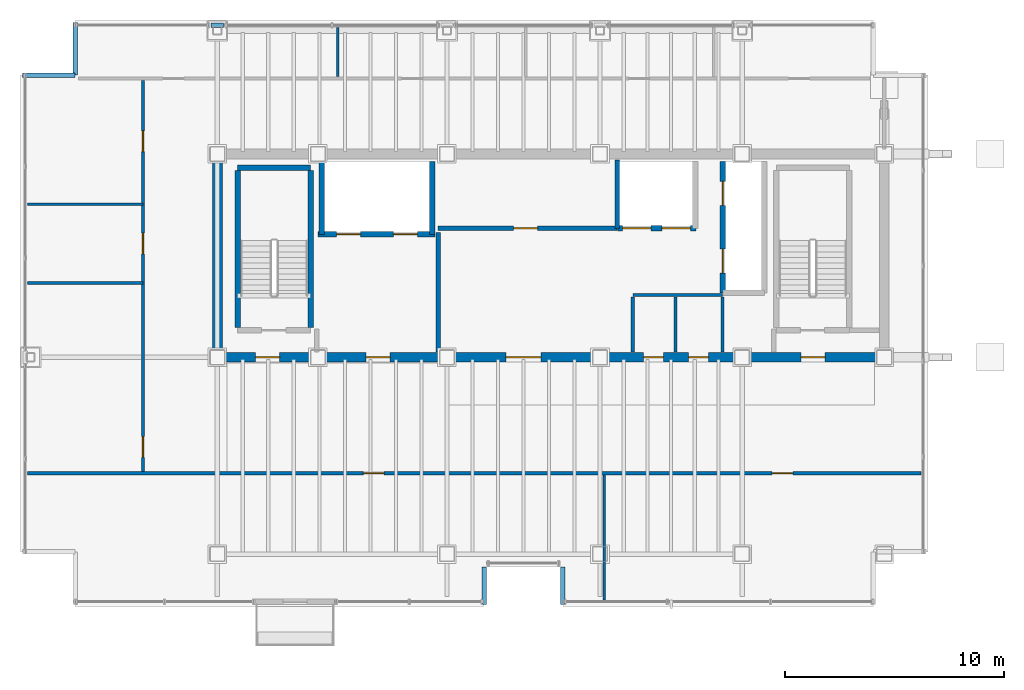
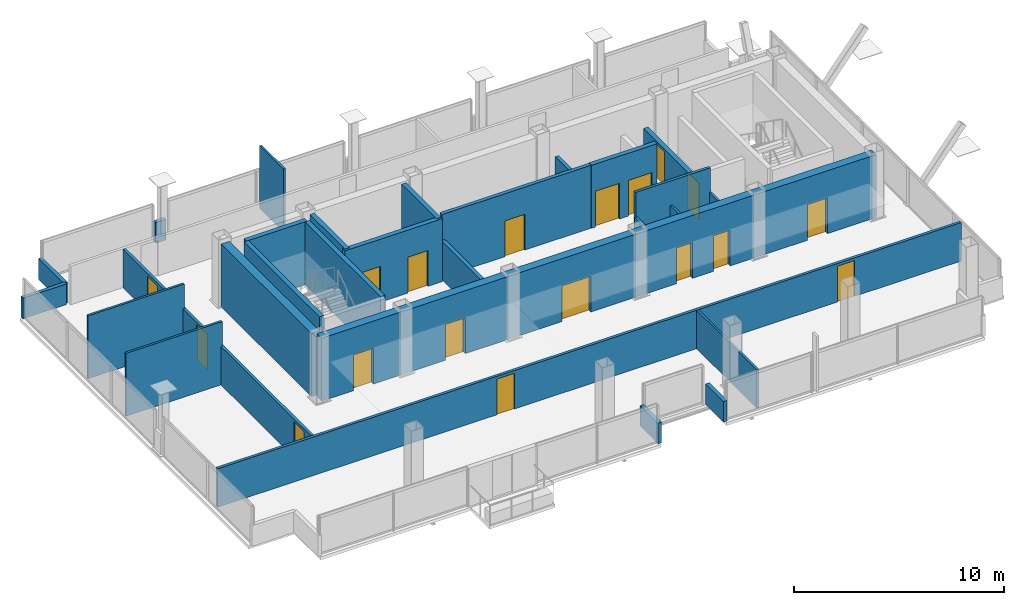
# One storey, part 14 of 16: 28 walls, 18 doors, 18 openings.
"""IFC4 building model written with IfcOpenShell, lengths in metres."""

from ifc_helpers import new_model, si_unit, direction, frame, frame_2d, origin, place, context, subcontext, project, spatial, rectangle, extrude, material, layer, layer_set, type_object, element, fill, save


model = new_model("IFC4")

# Units and contexts
model_context = context("Model", 3, precision=1e-05, world=origin(), true_north=direction((0.0, 1.0)))
body_context = subcontext(model_context, "Body", "Model", "MODEL_VIEW")
ifc_project = project(units=[si_unit("LENGTHUNIT", "METRE"), si_unit("AREAUNIT", "SQUARE_METRE"), si_unit("VOLUMEUNIT", "CUBIC_METRE"), si_unit("PLANEANGLEUNIT", "RADIAN"), si_unit("MASSUNIT", "GRAM", prefix="KILO")], contexts=[model_context])

# Site, building, storey
site_placement = place(None, origin())
site = spatial("IfcSite", under=ifc_project, at=site_placement, CompositionType="ELEMENT")
building_placement = place(site_placement, origin())
building = spatial("IfcBuilding", under=site, at=building_placement, Name="Noeulbin Bourse Tower", CompositionType="ELEMENT")
storey_placement = place(building_placement, frame((0.0, 0.0, 277.39990234375)))
storey = spatial("IfcBuildingStorey", under=building, at=storey_placement, Name="L69", CompositionType="ELEMENT", Elevation=277.39990234375)

# Wall, openings, doors
ifc_material_1 = material(Name="Concrete C50/60", Category="concrete")
ifc_layer_1 = layer(ifc_material_1, 0.449951171875)
ifc_layer_set_1 = layer_set([ifc_layer_1], Name="Concrete C50/60")
wall_type_1 = type_object("IfcWallType", Name="WAL-CORE-450", PredefinedType="SHEAR", material=ifc_layer_set_1)
wall_1_placement = place(storey_placement, frame((13.5, 29.0, 0.0), z_axis=(0.0, 0.0, 1.0), x_axis=(1.0, 0.0, 0.0)))
wall_1 = element("IfcWall", 1, at=wall_1_placement, inside=storey, type_object=wall_type_1, Name="Rear Core South Shear Wall L69", PredefinedType="SHEAR", context=body_context, shape_type="SweptSolid", body=[
    extrude(rectangle(XDim=30.5, YDim=0.449951171875, at=frame_2d((15.25, 0.0))), origin(), (0.0, 0.0, 1.0), 3.66015625),
])
opening_1_placement = place(wall_1_placement, frame((1.75, 0.0, 0.0)))
opening_1 = element("IfcOpeningElement", 2, at=opening_1_placement, cuts=wall_1, Name="Opening FD-11", PredefinedType="OPENING", context=body_context, shape_type="SweptSolid", body=[
    extrude(rectangle(XDim=1.10009765625, YDim=2.080078125, at=frame_2d((0.550048828125, 1.0400390625))), frame((0.0, 0.23486328125, 0.0), z_axis=(0.0, -1.0, 0.0), x_axis=(1.0, 0.0, 0.0)), (0.0, 0.0, 1.0), 0.469970703125),
])
opening_2_placement = place(wall_1_placement, frame((26.699951171875, 0.0, 0.0)))
opening_2 = element("IfcOpeningElement", 3, at=opening_2_placement, cuts=wall_1, Name="Opening FD-11", PredefinedType="OPENING", context=body_context, shape_type="SweptSolid", body=[
    extrude(rectangle(XDim=1.10009765625, YDim=2.080078125, at=frame_2d((0.550048828125, 1.0400390625))), frame((0.0, 0.23486328125, 0.0), z_axis=(0.0, -1.0, 0.0), x_axis=(1.0, 0.0, 0.0)), (0.0, 0.0, 1.0), 0.469970703125),
])
opening_3_placement = place(wall_1_placement, frame((6.800048828125, 0.0, 0.0)))
opening_3 = element("IfcOpeningElement", 4, at=opening_3_placement, cuts=wall_1, Name="Opening FD-11", PredefinedType="OPENING", context=body_context, shape_type="SweptSolid", body=[
    extrude(rectangle(XDim=1.10009765625, YDim=2.080078125, at=frame_2d((0.550048828125, 1.0400390625))), frame((0.0, 0.23486328125, 0.0), z_axis=(0.0, -1.0, 0.0), x_axis=(1.0, 0.0, 0.0)), (0.0, 0.0, 1.0), 0.469970703125),
])
opening_4_placement = place(wall_1_placement, frame((13.199951171875, 0.0, 0.0)))
opening_4 = element("IfcOpeningElement", 5, at=opening_4_placement, cuts=wall_1, Name="Opening ID-16", PredefinedType="OPENING", context=body_context, shape_type="SweptSolid", body=[
    extrude(rectangle(XDim=1.60009765625, YDim=2.080078125, at=frame_2d((0.800048828125, 1.0400390625))), frame((0.0, 0.23486328125, 0.0), z_axis=(0.0, -1.0, 0.0), x_axis=(1.0, 0.0, 0.0)), (0.0, 0.0, 1.0), 0.469970703125),
])
opening_5_placement = place(wall_1_placement, frame((19.5, 0.0, 0.0)))
opening_5 = element("IfcOpeningElement", 6, at=opening_5_placement, cuts=wall_1, Name="Opening FD-09", PredefinedType="OPENING", context=body_context, shape_type="SweptSolid", body=[
    extrude(rectangle(XDim=0.89990234375, YDim=2.080078125, at=frame_2d((0.449951171875, 1.0400390625))), frame((0.0, 0.23486328125, 0.0), z_axis=(0.0, -1.0, 0.0), x_axis=(1.0, 0.0, 0.0)), (0.0, 0.0, 1.0), 0.469970703125),
])
opening_6_placement = place(wall_1_placement, frame((21.550048828125, 0.0, 0.0)))
opening_6 = element("IfcOpeningElement", 7, at=opening_6_placement, cuts=wall_1, Name="Opening FD-09", PredefinedType="OPENING", context=body_context, shape_type="SweptSolid", body=[
    extrude(rectangle(XDim=0.89990234375, YDim=2.080078125, at=frame_2d((0.449951171875, 1.0400390625))), frame((0.0, 0.23486328125, 0.0), z_axis=(0.0, -1.0, 0.0), x_axis=(1.0, 0.0, 0.0)), (0.0, 0.0, 1.0), 0.469970703125),
])
ifc_material_2 = material(Name="Acoustic Glazed Aluminium", Category="aluminium")
door_type_1 = type_object("IfcDoorType", Name="DR-DBL-1600", OperationType="DOUBLE_DOOR_SINGLE_SWING", PredefinedType="DOOR", material=ifc_material_2)
door_1_placement = place(opening_4_placement, origin())
door_1 = element("IfcDoor", 8, at=door_1_placement, inside=storey, type_object=door_type_1, Name="Passenger Lift Lobby Portal L69", OperationType="DOUBLE_DOOR_SINGLE_SWING", OverallHeight=2.080078125, OverallWidth=1.60009765625, PredefinedType="DOOR", context=body_context, shape_type="SweptSolid", body=[
    extrude(rectangle(XDim=1.60009765625, YDim=2.080078125, at=frame_2d((0.800048828125, 1.0400390625))), frame((0.0, 0.02490234375, 0.0), z_axis=(0.0, -1.0, 0.0), x_axis=(1.0, 0.0, 0.0)), (0.0, 0.0, 1.0), 0.050048828125),
])
fill(opening_4, door_1)
ifc_material_3 = material(Name="Fire-Rated Timber Core", Category="wood")
door_type_2 = type_object("IfcDoorType", Name="DR-FD30-900", OperationType="SINGLE_SWING_RIGHT", PredefinedType="DOOR", material=ifc_material_3)
door_2_placement = place(opening_5_placement, origin())
door_2 = element("IfcDoor", 9, at=door_2_placement, inside=storey, type_object=door_type_2, Name="Interior Door L69-06", OperationType="SINGLE_SWING_RIGHT", OverallHeight=2.080078125, OverallWidth=0.89990234375, PredefinedType="DOOR", context=body_context, shape_type="SweptSolid", body=[
    extrude(rectangle(XDim=0.89990234375, YDim=2.080078125, at=frame_2d((0.449951171875, 1.0400390625))), frame((0.0, 0.02490234375, 0.0), z_axis=(0.0, -1.0, 0.0), x_axis=(1.0, 0.0, 0.0)), (0.0, 0.0, 1.0), 0.050048828125),
])
fill(opening_5, door_2)
door_3_placement = place(opening_6_placement, origin())
door_3 = element("IfcDoor", 10, at=door_3_placement, inside=storey, type_object=door_type_2, Name="Interior Door L69-07", OperationType="SINGLE_SWING_LEFT", OverallHeight=2.080078125, OverallWidth=0.89990234375, PredefinedType="DOOR", context=body_context, shape_type="SweptSolid", body=[
    extrude(rectangle(XDim=0.89990234375, YDim=2.080078125, at=frame_2d((0.449951171875, 1.0400390625))), frame((0.0, 0.02490234375, 0.0), z_axis=(0.0, -1.0, 0.0), x_axis=(1.0, 0.0, 0.0)), (0.0, 0.0, 1.0), 0.050048828125),
])
fill(opening_6, door_3)
ifc_material_4 = material(Name="Fire-Rated Insulated Steel", Category="steel")
door_type_3 = type_object("IfcDoorType", Name="DR-FD60-1100", OperationType="SINGLE_SWING_LEFT", PredefinedType="DOOR", material=ifc_material_4)
door_4_placement = place(opening_1_placement, origin())
door_4 = element("IfcDoor", 11, at=door_4_placement, inside=storey, type_object=door_type_3, Name="West Stair Lobby Door L69", OperationType="SINGLE_SWING_LEFT", OverallHeight=2.080078125, OverallWidth=1.10009765625, PredefinedType="DOOR", context=body_context, shape_type="SweptSolid", body=[
    extrude(rectangle(XDim=1.10009765625, YDim=2.080078125, at=frame_2d((0.550048828125, 1.0400390625))), frame((0.0, 0.02490234375, 0.0), z_axis=(0.0, -1.0, 0.0), x_axis=(1.0, 0.0, 0.0)), (0.0, 0.0, 1.0), 0.050048828125),
])
fill(opening_1, door_4)
door_5_placement = place(opening_2_placement, origin())
door_5 = element("IfcDoor", 12, at=door_5_placement, inside=storey, type_object=door_type_3, Name="East Stair Lobby Door L69", OperationType="SINGLE_SWING_RIGHT", OverallHeight=2.080078125, OverallWidth=1.10009765625, PredefinedType="DOOR", context=body_context, shape_type="SweptSolid", body=[
    extrude(rectangle(XDim=1.10009765625, YDim=2.080078125, at=frame_2d((0.550048828125, 1.0400390625))), frame((0.0, 0.02490234375, 0.0), z_axis=(0.0, -1.0, 0.0), x_axis=(1.0, 0.0, 0.0)), (0.0, 0.0, 1.0), 0.050048828125),
])
fill(opening_2, door_5)
door_6_placement = place(opening_3_placement, origin())
door_6 = element("IfcDoor", 13, at=door_6_placement, inside=storey, type_object=door_type_3, Name="Firefighting Lobby Door L69", OperationType="SINGLE_SWING_LEFT", OverallHeight=2.080078125, OverallWidth=1.10009765625, PredefinedType="DOOR", context=body_context, shape_type="SweptSolid", body=[
    extrude(rectangle(XDim=1.10009765625, YDim=2.080078125, at=frame_2d((0.550048828125, 1.0400390625))), frame((0.0, 0.02490234375, 0.0), z_axis=(0.0, -1.0, 0.0), x_axis=(1.0, 0.0, 0.0)), (0.0, 0.0, 1.0), 0.050048828125),
])
fill(opening_3, door_6)

# Wall
wall_2_placement = place(storey_placement, frame((13.5, 29.35009765625, 0.0), z_axis=(0.0, 0.0, 1.0), x_axis=(0.0, 1.0, 0.0)))
element("IfcWall", 14, at=wall_2_placement, inside=storey, type_object=wall_type_1, Name="Rear Core West Shear Wall L69", PredefinedType="SHEAR", context=body_context, shape_type="SweptSolid", body=[
    extrude(rectangle(XDim=8.599853515625, YDim=0.449951171875, at=frame_2d((4.2998046875, 0.0))), origin(), (0.0, 0.0, 1.0), 3.66015625),
])

# Wall, opening, door
ifc_material_5 = material(Name="Concrete C40/50", Category="concrete")
ifc_layer_2 = layer(ifc_material_5, 0.199951171875)
ifc_layer_set_2 = layer_set([ifc_layer_2], Name="Concrete C40/50")
wall_type_2 = type_object("IfcWallType", Name="WAL-FIRE-200", PredefinedType="STANDARD", material=ifc_layer_set_2)
wall_3_placement = place(storey_placement, frame((23.60009765625, 34.89990234375, 0.0), z_axis=(0.0, 0.0, 1.0), x_axis=(1.0, 0.0, 0.0)))
wall_3 = element("IfcWall", 15, at=wall_3_placement, inside=storey, type_object=wall_type_2, Name="Interior Partition Wall L69-02", PredefinedType="STANDARD", context=body_context, shape_type="SweptSolid", body=[
    extrude(rectangle(XDim=8.179931640625, YDim=0.199951171875, at=frame_2d((4.08984375, 0.0))), origin(), (0.0, 0.0, 1.0), 3.66015625),
])
opening_7_placement = place(wall_3_placement, frame((3.449951171875, 0.0, 0.0)))
opening_7 = element("IfcOpeningElement", 16, at=opening_7_placement, cuts=wall_3, Name="Opening FD-11", PredefinedType="OPENING", context=body_context, shape_type="SweptSolid", body=[
    extrude(rectangle(XDim=1.10009765625, YDim=2.080078125, at=frame_2d((0.550048828125, 1.0400390625))), frame((0.0, 0.10986328125, 0.0), z_axis=(0.0, -1.0, 0.0), x_axis=(1.0, 0.0, 0.0)), (0.0, 0.0, 1.0), 0.219970703125),
])
door_7_placement = place(opening_7_placement, origin())
door_7 = element("IfcDoor", 17, at=door_7_placement, inside=storey, type_object=door_type_3, Name="Telemetry Server Door L69", OperationType="SINGLE_SWING_LEFT", OverallHeight=2.080078125, OverallWidth=1.10009765625, PredefinedType="DOOR", context=body_context, shape_type="SweptSolid", body=[
    extrude(rectangle(XDim=1.10009765625, YDim=2.080078125, at=frame_2d((0.550048828125, 1.0400390625))), frame((0.0, 0.02490234375, 0.0), z_axis=(0.0, -1.0, 0.0), x_axis=(1.0, 0.0, 0.0)), (0.0, 0.0, 1.0), 0.050048828125),
])
fill(opening_7, door_7)

# Walls
wall_4_placement = place(storey_placement, frame((23.60009765625, 29.235107421875, 0.0), z_axis=(0.0, 0.0, 1.0), x_axis=(0.0, 1.0, 0.0)))
element("IfcWall", 18, at=wall_4_placement, inside=storey, type_object=wall_type_2, Name="Interior Partition Wall L69-10", PredefinedType="STANDARD", context=body_context, shape_type="SweptSolid", body=[
    extrude(rectangle(XDim=5.46484375, YDim=0.199951171875, at=frame_2d((2.732421875, 0.0))), origin(), (0.0, 0.0, 1.0), 2.239990234375),
])
ifc_layer_3 = layer(ifc_material_5, 0.199951171875)
ifc_layer_set_3 = layer_set([ifc_layer_3], Name="Concrete C40/50")
wall_type_3 = type_object("IfcWallType", Name="WAL-PAR-200", PredefinedType="PARAPET", material=ifc_layer_set_3)
wall_5_placement = place(storey_placement, frame((13.219970703125, 44.179931640625, 0.0), z_axis=(0.0, 0.0, 1.0), x_axis=(1.0, 0.0, 0.0)))
element("IfcWall", 19, at=wall_5_placement, inside=storey, type_object=wall_type_3, Name="Perimeter Pier Spandrel Parapet L69-N1", PredefinedType="PARAPET", context=body_context, shape_type="SweptSolid", body=[
    extrude(rectangle(XDim=0.56005859375, YDim=0.199951171875, at=frame_2d((0.280029296875, 0.0))), origin(), (0.0, 0.0, 1.0), 1.2001953125),
])
wall_6_placement = place(storey_placement, frame((4.60009765625, 41.89990234375, 0.0), z_axis=(0.0, 0.0, 1.0), x_axis=(1.0, 0.0, 0.0)))
element("IfcWall", 20, at=wall_6_placement, inside=storey, type_object=wall_type_3, Name="Corner Notch Parapet L69-NW1", PredefinedType="PARAPET", context=body_context, shape_type="SweptSolid", body=[
    extrude(rectangle(XDim=2.39990234375, YDim=0.199951171875, at=frame_2d((1.199951171875, 0.0))), origin(), (0.0, 0.0, 1.0), 1.2001953125),
])
wall_7_placement = place(storey_placement, frame((7.0, 41.89990234375, 0.0), z_axis=(0.0, 0.0, 1.0), x_axis=(0.0, 1.0, 0.0)))
element("IfcWall", 21, at=wall_7_placement, inside=storey, type_object=wall_type_3, Name="Corner Notch Parapet L69-NW2", PredefinedType="PARAPET", context=body_context, shape_type="SweptSolid", body=[
    extrude(rectangle(XDim=2.400146484375, YDim=0.199951171875, at=frame_2d((1.2001953125, 0.0))), origin(), (0.0, 0.0, 1.0), 1.2001953125),
])
for number, where, z_axis, x_axis, name in (
    (22, (25.699951171875, 17.699951171875, 0.0), (0.0, 0.0, 1.0), (0.0, 1.0, 0.0), "Sky-Garden Recess Parapet L69-W"),
    (23, (29.300048828125, 19.39990234375, 0.0), (0.0, 0.0, 1.0), (0.0, -1.0, 0.0), "Sky-Garden Recess Parapet L69-E"),
):
    element("IfcWall", number, at=place(storey_placement, frame(where, z_axis=z_axis, x_axis=x_axis)), inside=storey, type_object=wall_type_3, Name=name, PredefinedType="PARAPET", context=body_context, shape_type="SweptSolid", body=[
        extrude(rectangle(XDim=1.699951171875, YDim=0.199951171875, at=frame_2d((0.85009765625, 0.0))), origin(), (0.0, 0.0, 1.0), 1.2001953125),
    ])
ifc_material_6 = material(Name="Steel Stud Gypsum Partition", Category="steel")
ifc_layer_4 = layer(ifc_material_6, 0.1201171875)
ifc_layer_set_4 = layer_set([ifc_layer_4], Name="Steel Stud Gypsum Partition")
wall_type_4 = type_object("IfcWallType", Name="WAL-PRT-120", PredefinedType="PARTITIONING", material=ifc_layer_set_4)
for number, where, z_axis, x_axis, name in (
    (24, (4.81005859375, 32.39990234375, 0.0), (0.0, 0.0, 1.0), (1.0, 0.0, 0.0), "Interior Partition Wall L69-05"),
    (25, (4.81005859375, 36.0, 0.0), (0.0, 0.0, 1.0), (1.0, 0.0, 0.0), "Interior Partition Wall L69-06"),
):
    element("IfcWall", number, at=place(storey_placement, frame(where, z_axis=z_axis, x_axis=x_axis)), inside=storey, type_object=wall_type_4, Name=name, PredefinedType="PARTITIONING", context=body_context, shape_type="SweptSolid", body=[
        extrude(rectangle(XDim=5.2900390625, YDim=0.1201171875, at=frame_2d((2.64501953125, 0.0))), origin(), (0.0, 0.0, 1.0), 3.66015625),
    ])
for number, where, z_axis, x_axis, name in (
    (26, (36.60009765625, 29.235107421875, 0.0), (0.0, 0.0, 1.0), (0.0, 1.0, 0.0), "Interior Partition Wall L69-12"),
    (27, (34.449951171875, 29.235107421875, 0.0), (0.0, 0.0, 1.0), (0.0, 1.0, 0.0), "Interior Partition Wall L69-13"),
):
    element("IfcWall", number, at=place(storey_placement, frame(where, z_axis=z_axis, x_axis=x_axis)), inside=storey, type_object=wall_type_4, Name=name, PredefinedType="PARTITIONING", context=body_context, shape_type="SweptSolid", body=[
        extrude(rectangle(XDim=2.52978515625, YDim=0.1201171875, at=frame_2d((1.264892578125, 0.0))), origin(), (0.0, 0.0, 1.0), 2.239990234375),
    ])
wall_8_placement = place(storey_placement, frame((31.199951171875, 17.909912109375, 0.0), z_axis=(0.0, 0.0, 1.0), x_axis=(0.0, 1.0, 0.0)))
element("IfcWall", 28, at=wall_8_placement, inside=storey, type_object=wall_type_4, Name="Interior Partition Wall L69-15", PredefinedType="PARTITIONING", context=body_context, shape_type="SweptSolid", body=[
    extrude(rectangle(XDim=5.705078125, YDim=0.1201171875, at=frame_2d((2.8525390625, 0.0))), origin(), (0.0, 0.0, 1.0), 2.239990234375),
])
wall_9_placement = place(storey_placement, frame((19.0, 41.8349609375, 0.0), z_axis=(0.0, 0.0, 1.0), x_axis=(0.0, 1.0, 0.0)))
element("IfcWall", 29, at=wall_9_placement, inside=storey, type_object=wall_type_4, Name="Interior Partition Wall L69-17", PredefinedType="PARTITIONING", context=body_context, shape_type="SweptSolid", body=[
    extrude(rectangle(XDim=2.255126953125, YDim=0.1201171875, at=frame_2d((1.12744140625, 0.0))), origin(), (0.0, 0.0, 1.0), 3.66015625),
])
ifc_material_7 = material(Name="Steel Stud Acoustic Gypsum Board", Category="steel")
ifc_layer_5 = layer(ifc_material_7, 0.14990234375)
ifc_layer_set_5 = layer_set([ifc_layer_5], Name="Steel Stud Acoustic Gypsum Board")
wall_type_5 = type_object("IfcWallType", Name="WAL-PRT-150", PredefinedType="PARTITIONING", material=ifc_layer_set_5)
wall_10_placement = place(storey_placement, frame((32.5, 31.85009765625, 0.0), z_axis=(0.0, 0.0, 1.0), x_axis=(1.0, 0.0, 0.0)))
element("IfcWall", 30, at=wall_10_placement, inside=storey, type_object=wall_type_5, Name="Interior Partition Wall L69-03", PredefinedType="PARTITIONING", context=body_context, shape_type="SweptSolid", body=[
    extrude(rectangle(XDim=4.10009765625, YDim=0.14990234375, at=frame_2d((2.050048828125, 0.0))), origin(), (0.0, 0.0, 1.0), 3.66015625),
])

# Wall, openings, doors
wall_11_placement = place(storey_placement, frame((4.81005859375, 23.699951171875, 0.0), z_axis=(0.0, 0.0, 1.0), x_axis=(1.0, 0.0, 0.0)))
wall_11 = element("IfcWall", 31, at=wall_11_placement, inside=storey, type_object=wall_type_5, Name="Interior Partition Wall L69-04", PredefinedType="PARTITIONING", context=body_context, shape_type="SweptSolid", body=[
    extrude(rectangle(XDim=40.8798828125, YDim=0.14990234375, at=frame_2d((20.43994140625, 0.0))), origin(), (0.0, 0.0, 1.0), 2.239990234375),
])
opening_8_placement = place(wall_11_placement, frame((15.364990234375, 0.0, 0.0)))
opening_8 = element("IfcOpeningElement", 32, at=opening_8_placement, cuts=wall_11, Name="Opening ID-09", PredefinedType="OPENING", context=body_context, shape_type="SweptSolid", body=[
    extrude(rectangle(XDim=0.949951171875, YDim=2.080078125, at=frame_2d((0.47509765625, 1.0400390625))), frame((0.0, 0.0849609375, 0.0), z_axis=(0.0, -1.0, 0.0), x_axis=(1.0, 0.0, 0.0)), (0.0, 0.0, 1.0), 0.169921875),
])
opening_9_placement = place(wall_11_placement, frame((34.06005859375, 0.0, 0.0)))
opening_9 = element("IfcOpeningElement", 33, at=opening_9_placement, cuts=wall_11, Name="Opening ID-09", PredefinedType="OPENING", context=body_context, shape_type="SweptSolid", body=[
    extrude(rectangle(XDim=0.949951171875, YDim=2.080078125, at=frame_2d((0.47509765625, 1.0400390625))), frame((0.0, 0.0849609375, 0.0), z_axis=(0.0, -1.0, 0.0), x_axis=(1.0, 0.0, 0.0)), (0.0, 0.0, 1.0), 0.169921875),
])
ifc_material_8 = material(Name="Acoustic Solid-Core Timber", Category="wood")
door_type_4 = type_object("IfcDoorType", Name="DR-SINGLE-950", OperationType="SINGLE_SWING_LEFT", PredefinedType="DOOR", material=ifc_material_8)
door_8_placement = place(opening_8_placement, origin())
door_8 = element("IfcDoor", 34, at=door_8_placement, inside=storey, type_object=door_type_4, Name="Interior Door L69-08", OperationType="SINGLE_SWING_RIGHT", OverallHeight=2.080078125, OverallWidth=0.949951171875, PredefinedType="DOOR", context=body_context, shape_type="SweptSolid", body=[
    extrude(rectangle(XDim=0.949951171875, YDim=2.080078125, at=frame_2d((0.47509765625, 1.0400390625))), frame((0.0, 0.02490234375, 0.0), z_axis=(0.0, -1.0, 0.0), x_axis=(1.0, 0.0, 0.0)), (0.0, 0.0, 1.0), 0.050048828125),
])
fill(opening_8, door_8)
door_9_placement = place(opening_9_placement, origin())
door_9 = element("IfcDoor", 35, at=door_9_placement, inside=storey, type_object=door_type_4, Name="Interior Door L69-09", OperationType="SINGLE_SWING_LEFT", OverallHeight=2.080078125, OverallWidth=0.949951171875, PredefinedType="DOOR", context=body_context, shape_type="SweptSolid", body=[
    extrude(rectangle(XDim=0.949951171875, YDim=2.080078125, at=frame_2d((0.47509765625, 1.0400390625))), frame((0.0, 0.02490234375, 0.0), z_axis=(0.0, -1.0, 0.0), x_axis=(1.0, 0.0, 0.0)), (0.0, 0.0, 1.0), 0.050048828125),
])
fill(opening_9, door_9)

# Wall
wall_12_placement = place(storey_placement, frame((32.5, 29.235107421875, 0.0), z_axis=(0.0, 0.0, 1.0), x_axis=(0.0, 1.0, 0.0)))
element("IfcWall", 36, at=wall_12_placement, inside=storey, type_object=wall_type_5, Name="Interior Partition Wall L69-11", PredefinedType="PARTITIONING", context=body_context, shape_type="SweptSolid", body=[
    extrude(rectangle(XDim=2.52978515625, YDim=0.14990234375, at=frame_2d((1.264892578125, 0.0))), origin(), (0.0, 0.0, 1.0), 2.239990234375),
])

# Wall, openings, doors
wall_13_placement = place(storey_placement, frame((10.10009765625, 23.784912109375, 0.0), z_axis=(0.0, 0.0, 1.0), x_axis=(0.0, 1.0, 0.0)))
wall_13 = element("IfcWall", 37, at=wall_13_placement, inside=storey, type_object=wall_type_5, Name="Interior Partition Wall L69-14", PredefinedType="PARTITIONING", context=body_context, shape_type="SweptSolid", body=[
    extrude(rectangle(XDim=17.880126953125, YDim=0.14990234375, at=frame_2d((8.93994140625, 0.0))), origin(), (0.0, 0.0, 1.0), 2.239990234375),
])
opening_10_placement = place(wall_13_placement, frame((0.639892578125, 0.0, 0.0)))
opening_10 = element("IfcOpeningElement", 38, at=opening_10_placement, cuts=wall_13, Name="Opening ID-09", PredefinedType="OPENING", context=body_context, shape_type="SweptSolid", body=[
    extrude(rectangle(XDim=0.949951171875, YDim=2.080078125, at=frame_2d((0.47509765625, 1.0400390625))), frame((0.0, 0.0849609375, 0.0), z_axis=(0.0, -1.0, 0.0), x_axis=(1.0, 0.0, 0.0)), (0.0, 0.0, 1.0), 0.169921875),
])
opening_11_placement = place(wall_13_placement, frame((9.93994140625, 0.0, 0.0)))
opening_11 = element("IfcOpeningElement", 39, at=opening_11_placement, cuts=wall_13, Name="Opening ID-09", PredefinedType="OPENING", context=body_context, shape_type="SweptSolid", body=[
    extrude(rectangle(XDim=0.949951171875, YDim=2.080078125, at=frame_2d((0.47509765625, 1.0400390625))), frame((0.0, 0.0849609375, 0.0), z_axis=(0.0, -1.0, 0.0), x_axis=(1.0, 0.0, 0.0)), (0.0, 0.0, 1.0), 0.169921875),
])
opening_12_placement = place(wall_13_placement, frame((14.614990234375, 0.0, 0.0)))
opening_12 = element("IfcOpeningElement", 40, at=opening_12_placement, cuts=wall_13, Name="Opening ID-09", PredefinedType="OPENING", context=body_context, shape_type="SweptSolid", body=[
    extrude(rectangle(XDim=0.949951171875, YDim=2.080078125, at=frame_2d((0.47509765625, 1.0400390625))), frame((0.0, 0.0849609375, 0.0), z_axis=(0.0, -1.0, 0.0), x_axis=(1.0, 0.0, 0.0)), (0.0, 0.0, 1.0), 0.169921875),
])
door_10_placement = place(opening_10_placement, origin())
door_10 = element("IfcDoor", 41, at=door_10_placement, inside=storey, type_object=door_type_4, Name="Interior Door L69-10", OperationType="SINGLE_SWING_RIGHT", OverallHeight=2.080078125, OverallWidth=0.949951171875, PredefinedType="DOOR", context=body_context, shape_type="SweptSolid", body=[
    extrude(rectangle(XDim=0.949951171875, YDim=2.080078125, at=frame_2d((0.47509765625, 1.0400390625))), frame((0.0, 0.02490234375, 0.0), z_axis=(0.0, -1.0, 0.0), x_axis=(1.0, 0.0, 0.0)), (0.0, 0.0, 1.0), 0.050048828125),
])
fill(opening_10, door_10)
door_11_placement = place(opening_11_placement, origin())
door_11 = element("IfcDoor", 42, at=door_11_placement, inside=storey, type_object=door_type_4, Name="Interior Door L69-11", OperationType="SINGLE_SWING_LEFT", OverallHeight=2.080078125, OverallWidth=0.949951171875, PredefinedType="DOOR", context=body_context, shape_type="SweptSolid", body=[
    extrude(rectangle(XDim=0.949951171875, YDim=2.080078125, at=frame_2d((0.47509765625, 1.0400390625))), frame((0.0, 0.02490234375, 0.0), z_axis=(0.0, -1.0, 0.0), x_axis=(1.0, 0.0, 0.0)), (0.0, 0.0, 1.0), 0.050048828125),
])
fill(opening_11, door_11)
door_12_placement = place(opening_12_placement, origin())
door_12 = element("IfcDoor", 43, at=door_12_placement, inside=storey, type_object=door_type_4, Name="Interior Door L69-12", OperationType="SINGLE_SWING_RIGHT", OverallHeight=2.080078125, OverallWidth=0.949951171875, PredefinedType="DOOR", context=body_context, shape_type="SweptSolid", body=[
    extrude(rectangle(XDim=0.949951171875, YDim=2.080078125, at=frame_2d((0.47509765625, 1.0400390625))), frame((0.0, 0.02490234375, 0.0), z_axis=(0.0, -1.0, 0.0), x_axis=(1.0, 0.0, 0.0)), (0.0, 0.0, 1.0), 0.050048828125),
])
fill(opening_12, door_12)

# Walls
ifc_layer_6 = layer(ifc_material_5, 0.25)
ifc_layer_set_6 = layer_set([ifc_layer_6], Name="Concrete C40/50")
wall_type_6 = type_object("IfcWallType", Name="WAL-SHFT-250", PredefinedType="STANDARD", material=ifc_layer_set_6)
wall_14_placement = place(storey_placement, frame((14.429931640625, 37.6689453125, 0.0), z_axis=(0.0, 0.0, 1.0), x_axis=(1.0, 0.0, 0.0)))
element("IfcWall", 44, at=wall_14_placement, inside=storey, type_object=wall_type_6, Name="Stair ST-1 North Shaft Wall L69", PredefinedType="STANDARD", context=body_context, shape_type="SweptSolid", body=[
    extrude(rectangle(XDim=3.340087890625, YDim=0.25, at=frame_2d((1.669921875, 0.0))), origin(), (0.0, 0.0, 1.0), 3.66015625),
])
for number, where, z_axis, x_axis, name in (
    (45, (14.425048828125, 30.360107421875, 0.0), (0.0, 0.0, 1.0), (0.0, 1.0, 0.0), "Stair ST-1 West Shaft Wall L69"),
    (46, (17.77490234375, 30.360107421875, 0.0), (0.0, 0.0, 1.0), (0.0, 1.0, 0.0), "Stair ST-1 East Shaft Wall L69"),
):
    element("IfcWall", number, at=place(storey_placement, frame(where, z_axis=z_axis, x_axis=x_axis)), inside=storey, type_object=wall_type_6, Name=name, PredefinedType="STANDARD", context=body_context, shape_type="SweptSolid", body=[
        extrude(rectangle(XDim=7.183837890625, YDim=0.25, at=frame_2d((3.591796875, 0.0))), origin(), (0.0, 0.0, 1.0), 3.66015625),
    ])

# Wall, openings, doors
wall_15_placement = place(storey_placement, frame((18.10009765625, 34.6201171875, 0.0), z_axis=(0.0, 0.0, 1.0), x_axis=(1.0, 0.0, 0.0)))
wall_15 = element("IfcWall", 47, at=wall_15_placement, inside=storey, type_object=wall_type_6, Name="Firefighting Lift Shaft Front L69", PredefinedType="STANDARD", context=body_context, shape_type="SweptSolid", body=[
    extrude(rectangle(XDim=5.349853515625, YDim=0.25, at=frame_2d((2.6748046875, 0.0))), origin(), (0.0, 0.0, 1.0), 3.66015625),
])
opening_13_placement = place(wall_15_placement, frame((0.85009765625, 0.0, 0.0)))
opening_13 = element("IfcOpeningElement", 48, at=opening_13_placement, cuts=wall_15, Name="Opening LD-11", PredefinedType="OPENING", context=body_context, shape_type="SweptSolid", body=[
    extrude(rectangle(XDim=1.10009765625, YDim=2.080078125, at=frame_2d((0.550048828125, 1.0400390625))), frame((0.0, 0.135009765625, 0.0), z_axis=(0.0, -1.0, 0.0), x_axis=(1.0, 0.0, 0.0)), (0.0, 0.0, 1.0), 0.27001953125),
])
opening_14_placement = place(wall_15_placement, frame((3.449951171875, 0.0, 0.0)))
opening_14 = element("IfcOpeningElement", 49, at=opening_14_placement, cuts=wall_15, Name="Opening LD-11", PredefinedType="OPENING", context=body_context, shape_type="SweptSolid", body=[
    extrude(rectangle(XDim=1.10009765625, YDim=2.080078125, at=frame_2d((0.550048828125, 1.0400390625))), frame((0.0, 0.135009765625, 0.0), z_axis=(0.0, -1.0, 0.0), x_axis=(1.0, 0.0, 0.0)), (0.0, 0.0, 1.0), 0.27001953125),
])
ifc_material_9 = material(Name="Brushed Stainless Steel 316", Category="steel")
door_type_5 = type_object("IfcDoorType", Name="DR-LIFT-1100", OperationType="SLIDING_TO_LEFT", PredefinedType="DOOR", material=ifc_material_9)
door_13_placement = place(opening_13_placement, origin())
door_13 = element("IfcDoor", 50, at=door_13_placement, inside=storey, type_object=door_type_5, Name="Lift Landing Door LD-FL-01-L69", OperationType="SLIDING_TO_LEFT", OverallHeight=2.080078125, OverallWidth=1.10009765625, PredefinedType="DOOR", context=body_context, shape_type="SweptSolid", body=[
    extrude(rectangle(XDim=1.10009765625, YDim=2.080078125, at=frame_2d((0.550048828125, 1.0400390625))), frame((0.0, 0.02490234375, 0.0), z_axis=(0.0, -1.0, 0.0), x_axis=(1.0, 0.0, 0.0)), (0.0, 0.0, 1.0), 0.050048828125),
])
fill(opening_13, door_13)
door_14_placement = place(opening_14_placement, origin())
door_14 = element("IfcDoor", 51, at=door_14_placement, inside=storey, type_object=door_type_5, Name="Lift Landing Door LD-FL-02-L69", OperationType="SLIDING_TO_LEFT", OverallHeight=2.080078125, OverallWidth=1.10009765625, PredefinedType="DOOR", context=body_context, shape_type="SweptSolid", body=[
    extrude(rectangle(XDim=1.10009765625, YDim=2.080078125, at=frame_2d((0.550048828125, 1.0400390625))), frame((0.0, 0.02490234375, 0.0), z_axis=(0.0, -1.0, 0.0), x_axis=(1.0, 0.0, 0.0)), (0.0, 0.0, 1.0), 0.050048828125),
])
fill(opening_14, door_14)

wall_16_placement = place(storey_placement, frame((36.6201171875, 31.949951171875, 0.0), z_axis=(0.0, 0.0, 1.0), x_axis=(0.0, 1.0, 0.0)))
wall_16 = element("IfcWall", 52, at=wall_16_placement, inside=storey, type_object=wall_type_6, Name="Service Lift Shaft Wall L69", PredefinedType="STANDARD", context=body_context, shape_type="SweptSolid", body=[
    extrude(rectangle(XDim=6.0, YDim=0.25, at=frame_2d((3.0, 0.0))), origin(), (0.0, 0.0, 1.0), 2.239990234375),
])
opening_15_placement = place(wall_16_placement, frame((0.89990234375, 0.0, 0.0)))
opening_15 = element("IfcOpeningElement", 53, at=opening_15_placement, cuts=wall_16, Name="Opening LD-11", PredefinedType="OPENING", context=body_context, shape_type="SweptSolid", body=[
    extrude(rectangle(XDim=1.10009765625, YDim=2.080078125, at=frame_2d((0.550048828125, 1.0400390625))), frame((0.0, 0.135009765625, 0.0), z_axis=(0.0, -1.0, 0.0), x_axis=(1.0, 0.0, 0.0)), (0.0, 0.0, 1.0), 0.27001953125),
])
opening_16_placement = place(wall_16_placement, frame((4.0, 0.0, 0.0)))
opening_16 = element("IfcOpeningElement", 54, at=opening_16_placement, cuts=wall_16, Name="Opening LD-11", PredefinedType="OPENING", context=body_context, shape_type="SweptSolid", body=[
    extrude(rectangle(XDim=1.10009765625, YDim=2.080078125, at=frame_2d((0.550048828125, 1.0400390625))), frame((0.0, 0.135009765625, 0.0), z_axis=(0.0, -1.0, 0.0), x_axis=(1.0, 0.0, 0.0)), (0.0, 0.0, 1.0), 0.27001953125),
])
door_15_placement = place(opening_15_placement, origin())
door_15 = element("IfcDoor", 55, at=door_15_placement, inside=storey, type_object=door_type_5, Name="Lift Landing Door LD-EL-01-L69", OperationType="SLIDING_TO_LEFT", OverallHeight=2.080078125, OverallWidth=1.10009765625, PredefinedType="DOOR", context=body_context, shape_type="SweptSolid", body=[
    extrude(rectangle(XDim=1.10009765625, YDim=2.080078125, at=frame_2d((0.550048828125, 1.0400390625))), frame((0.0, 0.02490234375, 0.0), z_axis=(0.0, -1.0, 0.0), x_axis=(1.0, 0.0, 0.0)), (0.0, 0.0, 1.0), 0.050048828125),
])
fill(opening_15, door_15)
door_16_placement = place(opening_16_placement, origin())
door_16 = element("IfcDoor", 56, at=door_16_placement, inside=storey, type_object=door_type_5, Name="Lift Landing Door LD-SV-01-L69", OperationType="SLIDING_TO_LEFT", OverallHeight=2.080078125, OverallWidth=1.10009765625, PredefinedType="DOOR", context=body_context, shape_type="SweptSolid", body=[
    extrude(rectangle(XDim=1.10009765625, YDim=2.080078125, at=frame_2d((0.550048828125, 1.0400390625))), frame((0.0, 0.02490234375, 0.0), z_axis=(0.0, -1.0, 0.0), x_axis=(1.0, 0.0, 0.0)), (0.0, 0.0, 1.0), 0.050048828125),
])
fill(opening_16, door_16)

# Walls
for number, where, z_axis, x_axis, name in (
    (57, (18.280029296875, 34.6201171875, 0.0), (0.0, 0.0, 1.0), (0.0, 1.0, 0.0), "Firefighting Lift West Shaft Wall L69"),
    (58, (23.320068359375, 34.6201171875, 0.0), (0.0, 0.0, 1.0), (0.0, 1.0, 0.0), "Firefighting Lift East Shaft Wall L69"),
):
    element("IfcWall", number, at=place(storey_placement, frame(where, z_axis=z_axis, x_axis=x_axis)), inside=storey, type_object=wall_type_6, Name=name, PredefinedType="STANDARD", context=body_context, shape_type="SweptSolid", body=[
        extrude(rectangle(XDim=3.329833984375, YDim=0.25, at=frame_2d((1.6650390625, 0.0))), origin(), (0.0, 0.0, 1.0), 3.66015625),
    ])

# Wall, openings, doors
wall_17_placement = place(storey_placement, frame((31.800048828125, 34.89990234375, 0.0), z_axis=(0.0, 0.0, 1.0), x_axis=(1.0, 0.0, 0.0)))
wall_17 = element("IfcWall", 59, at=wall_17_placement, inside=storey, type_object=wall_type_6, Name="High-Rise Lift Bank Front L69", PredefinedType="STANDARD", context=body_context, shape_type="SweptSolid", body=[
    extrude(rectangle(XDim=3.599853515625, YDim=0.25, at=frame_2d((1.7998046875, 0.0))), origin(), (0.0, 0.0, 1.0), 3.66015625),
])
opening_17_placement = place(wall_17_placement, frame((0.22998046875, 0.0, 0.0)))
opening_17 = element("IfcOpeningElement", 60, at=opening_17_placement, cuts=wall_17, Name="Opening LD-13", PredefinedType="OPENING", context=body_context, shape_type="SweptSolid", body=[
    extrude(rectangle(XDim=1.300048828125, YDim=2.080078125, at=frame_2d((0.64990234375, 1.0400390625))), frame((0.0, 0.135009765625, 0.0), z_axis=(0.0, -1.0, 0.0), x_axis=(1.0, 0.0, 0.0)), (0.0, 0.0, 1.0), 0.27001953125),
])
opening_18_placement = place(wall_17_placement, frame((2.030029296875, 0.0, 0.0)))
opening_18 = element("IfcOpeningElement", 61, at=opening_18_placement, cuts=wall_17, Name="Opening LD-13", PredefinedType="OPENING", context=body_context, shape_type="SweptSolid", body=[
    extrude(rectangle(XDim=1.300048828125, YDim=2.080078125, at=frame_2d((0.64990234375, 1.0400390625))), frame((0.0, 0.135009765625, 0.0), z_axis=(0.0, -1.0, 0.0), x_axis=(1.0, 0.0, 0.0)), (0.0, 0.0, 1.0), 0.27001953125),
])
door_type_6 = type_object("IfcDoorType", Name="DR-LIFT-1300", OperationType="DOUBLE_DOOR_SLIDING", PredefinedType="DOOR", material=ifc_material_9)
door_17_placement = place(opening_17_placement, origin())
door_17 = element("IfcDoor", 62, at=door_17_placement, inside=storey, type_object=door_type_6, Name="Lift Landing Door LD-PL-H1-L69", OperationType="DOUBLE_DOOR_SLIDING", OverallHeight=2.080078125, OverallWidth=1.300048828125, PredefinedType="DOOR", context=body_context, shape_type="SweptSolid", body=[
    extrude(rectangle(XDim=1.300048828125, YDim=2.080078125, at=frame_2d((0.64990234375, 1.0400390625))), frame((0.0, 0.02490234375, 0.0), z_axis=(0.0, -1.0, 0.0), x_axis=(1.0, 0.0, 0.0)), (0.0, 0.0, 1.0), 0.050048828125),
])
fill(opening_17, door_17)
door_18_placement = place(opening_18_placement, origin())
door_18 = element("IfcDoor", 63, at=door_18_placement, inside=storey, type_object=door_type_6, Name="Lift Landing Door LD-PL-H2-L69", OperationType="DOUBLE_DOOR_SLIDING", OverallHeight=2.080078125, OverallWidth=1.300048828125, PredefinedType="DOOR", context=body_context, shape_type="SweptSolid", body=[
    extrude(rectangle(XDim=1.300048828125, YDim=2.080078125, at=frame_2d((0.64990234375, 1.0400390625))), frame((0.0, 0.02490234375, 0.0), z_axis=(0.0, -1.0, 0.0), x_axis=(1.0, 0.0, 0.0)), (0.0, 0.0, 1.0), 0.050048828125),
])
fill(opening_18, door_18)

# Wall
wall_18_placement = place(storey_placement, frame((31.780029296875, 34.89990234375, 0.0), z_axis=(0.0, 0.0, 1.0), x_axis=(0.0, 1.0, 0.0)))
element("IfcWall", 64, at=wall_18_placement, inside=storey, type_object=wall_type_6, Name="Hoistway Side Shaft Wall L69-PLHW", PredefinedType="STANDARD", context=body_context, shape_type="SweptSolid", body=[
    extrude(rectangle(XDim=3.1201171875, YDim=0.199951171875, at=frame_2d((1.56005859375, 0.0))), origin(), (0.0, 0.0, 1.0), 2.239990234375),
])

save(model, "model.ifc")
